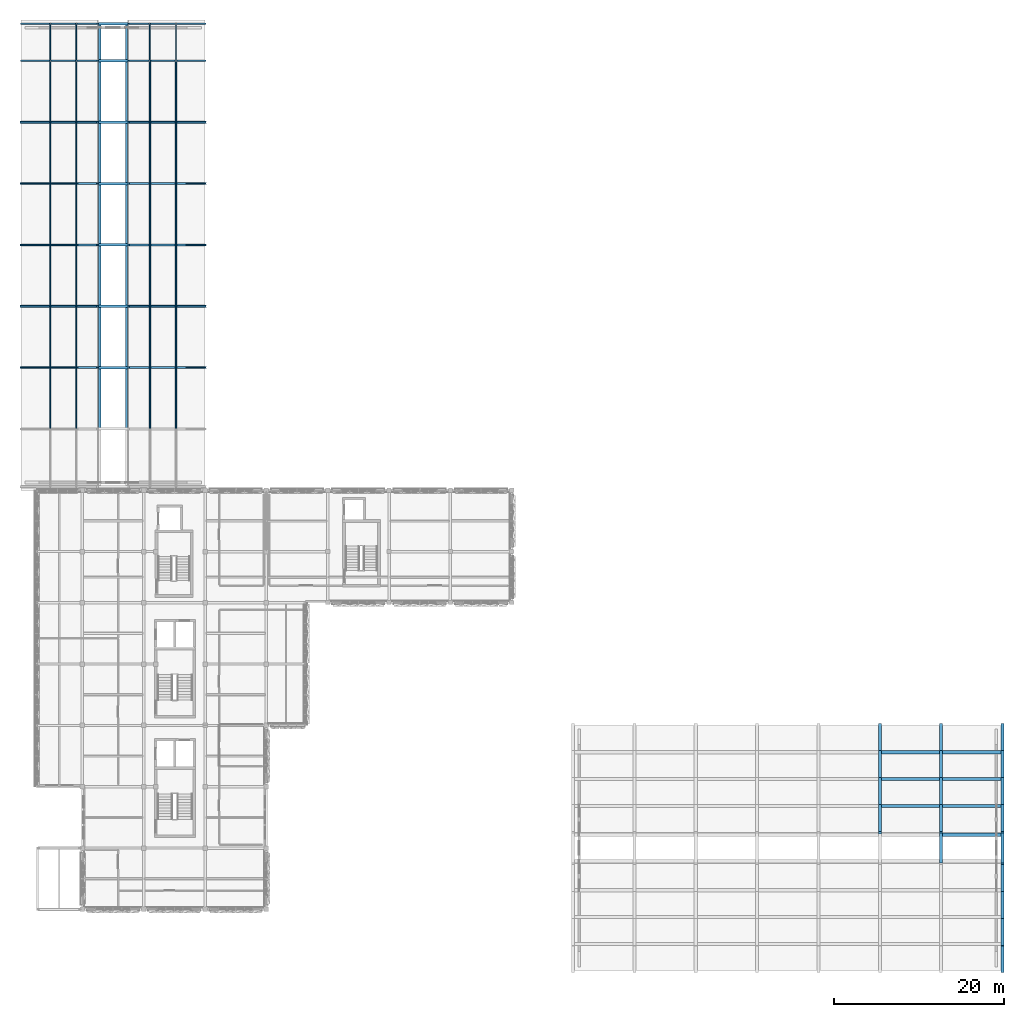
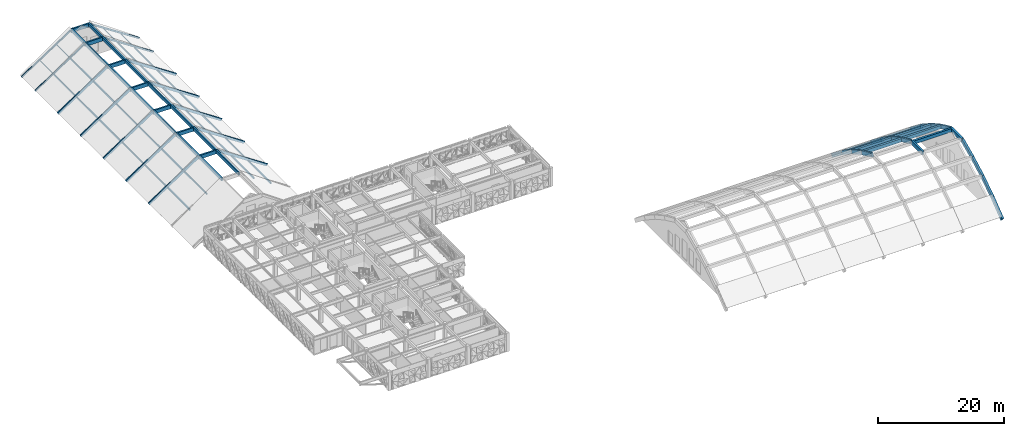
# One storey, part 13 of 48: 46 beams, 42 members.
"""IFC4 building model written with IfcOpenShell, lengths in metres."""

import ifcopenshell
import ifcopenshell.guid

model = None  # the IFC model being written
_history = None  # IfcOwnerHistory: only IFC2X3 demands one
_inside = {}  # id of a spatial element -> (the spatial element, [elements in it])
_under = {}  # id of a project, library or spatial element -> (it, [spatial elements below it])
_declared = {}  # id of a project -> (the project, [libraries it declares])
_typed = {}  # id of a type object -> (the type object, [elements of that type])
_made_of = {}  # id of a material, layer set ... -> (it, [elements and type objects made of it])


def new_model(schema):
    """Start an empty IFC model of exactly this schema.

    Asked for "IFC4X3", IfcOpenShell would pick the latest addendum, in which some entities
    have other attributes; the version numbers below select the first issue.
    IFC2X3 requires an IfcOwnerHistory on every rooted entity: one is made here for all.
    """
    global model, _history
    if schema == "IFC4X3":
        model = ifcopenshell.file(schema_version=(4, 3, 0, 0))
    else:
        model = ifcopenshell.file(schema=schema)
    _inside.clear()
    _under.clear()
    _declared.clear()
    _typed.clear()
    _made_of.clear()
    _history = None
    if model.schema == "IFC2X3":
        org = make("IfcOrganization", Name="unknown")
        user = make(
            "IfcPersonAndOrganization",
            ThePerson=make("IfcPerson", FamilyName="unknown"),
            TheOrganization=org,
        )
        app = make(
            "IfcApplication",
            ApplicationDeveloper=org,
            Version="unknown",
            ApplicationFullName="unknown",
            ApplicationIdentifier="unknown",
        )
        _history = make(
            "IfcOwnerHistory",
            OwningUser=user,
            OwningApplication=app,
            ChangeAction="ADDED",
            CreationDate=0,
        )
    return model


def make(cls, **values):
    """One entity of the class cls with the attributes given. An attribute that is None is left unset."""
    return model.create_entity(
        cls, **{name: value for name, value in values.items() if value is not None}
    )


def rooted(cls, **values):
    """An entity with a GlobalId (a new one), such as an element, a storey or a relation."""
    return make(cls, GlobalId=ifcopenshell.guid.new(), OwnerHistory=_history, **values)


def si_unit(unit_type, name, prefix=None):
    """IfcSIUnit, for example si_unit("LENGTHUNIT", "METRE", prefix="MILLI")."""
    return make("IfcSIUnit", UnitType=unit_type, Prefix=prefix, Name=name)


def assignment(units):
    """IfcUnitAssignment: the units of a project."""
    return None if units is None else make("IfcUnitAssignment", Units=units)


def point(xyz):
    """IfcCartesianPoint."""
    return None if xyz is None else make("IfcCartesianPoint", Coordinates=xyz)


def direction(xyz):
    """IfcDirection."""
    return None if xyz is None else make("IfcDirection", DirectionRatios=xyz)


def frame(location, z_axis=None, x_axis=None):
    """IfcAxis2Placement3D, a coordinate frame: its origin and axes. An axis left out is left unset."""
    return make(
        "IfcAxis2Placement3D",
        Location=point(location),
        Axis=direction(z_axis),
        RefDirection=direction(x_axis),
    )


def frame_2d(location, x_axis=None):
    """IfcAxis2Placement2D, a coordinate frame in the plane: its origin and x axis."""
    return make(
        "IfcAxis2Placement2D", Location=point(location), RefDirection=direction(x_axis)
    )


def origin():
    """The frame at (0, 0, 0) with its axes left unset."""
    return frame((0.0, 0.0, 0.0))


def origin_2d():
    """The frame at (0, 0) in the plane with its x axis left unset."""
    return frame_2d((0.0, 0.0))


def place(relative_to, where):
    """IfcLocalPlacement: puts the frame where relative to a parent placement (None: the world)."""
    return make(
        "IfcLocalPlacement", PlacementRelTo=relative_to, RelativePlacement=where
    )


def context(
    kind, dimensions, precision=None, world=None, true_north=None, identifier=None
):
    """IfcGeometricRepresentationContext, for example the 3D "Model" context."""
    return make(
        "IfcGeometricRepresentationContext",
        ContextIdentifier=identifier,
        ContextType=kind,
        CoordinateSpaceDimension=dimensions,
        Precision=precision,
        WorldCoordinateSystem=world,
        TrueNorth=true_north,
    )


def subcontext(parent, identifier, kind, view, scale=None):
    """IfcGeometricRepresentationSubContext, for example "Body" below "Model"."""
    return make(
        "IfcGeometricRepresentationSubContext",
        ContextIdentifier=identifier,
        ContextType=kind,
        ParentContext=parent,
        TargetScale=scale,
        TargetView=view,
    )


def project(units=None, contexts=None):
    """IfcProject with its units and contexts."""
    return rooted(
        "IfcProject",
        Name="project",
        RepresentationContexts=contexts,
        UnitsInContext=assignment(units),
    )


def spatial(cls, under=None, at=None, **own):
    """A site, building, storey or space (cls), placed at a placement, below another one or the project."""
    s = rooted(cls, ObjectPlacement=at, **own)
    if under is not None:
        _under.setdefault(under.id(), (under, []))[1].append(s)
    return s


def profile(cls, at=None, kind="AREA", **sizes):
    """A parametric profile (cls). Its sizes go by their IFC names, for example OverallWidth=200.0."""
    return make(cls, ProfileType=kind, Position=at, **sizes)


def rectangle(**sizes):
    """IfcRectangleProfileDef."""
    return profile("IfcRectangleProfileDef", **sizes)


def hollow_rectangle(**sizes):
    """IfcRectangleHollowProfileDef."""
    return profile("IfcRectangleHollowProfileDef", **sizes)


def i_section(**sizes):
    """IfcIShapeProfileDef."""
    return profile("IfcIShapeProfileDef", **sizes)


def extrude(swept, where, along, depth):
    """IfcExtrudedAreaSolid: the profile swept, set in the frame where, extruded along a direction by depth."""
    return make(
        "IfcExtrudedAreaSolid",
        SweptArea=swept,
        Position=where,
        ExtrudedDirection=direction(along),
        Depth=depth,
    )


def shape(context_of_items, identifier, shape_type, items):
    """IfcShapeRepresentation: the items that make up one representation, for example the "Body"."""
    return make(
        "IfcShapeRepresentation",
        ContextOfItems=context_of_items,
        RepresentationIdentifier=identifier,
        RepresentationType=shape_type,
        Items=items,
    )


def material(Name=None, Category=None):
    """IfcMaterial."""
    return make("IfcMaterial", Name=Name, Category=Category)


def material_profile(
    of_material, cross_section, Name=None, Category=None, Priority=None
):
    """IfcMaterialProfile: a cross section and its material."""
    return make(
        "IfcMaterialProfile",
        Name=Name,
        Material=of_material,
        Profile=cross_section,
        Priority=Priority,
        Category=Category,
    )


def profile_set(profiles, Name=None, composite=None):
    """IfcMaterialProfileSet."""
    return make(
        "IfcMaterialProfileSet",
        Name=Name,
        MaterialProfiles=profiles,
        CompositeProfile=composite,
    )


def made_of(thing, what):
    """Note that an element or type object is made of a material, layer set ...; save() writes the relation."""
    if what is not None:
        _made_of.setdefault(what.id(), (what, []))[1].append(thing)
    return thing


def type_object(cls, material=None, **own):
    """A type object (cls), such as IfcWallType, which elements share."""
    return made_of(rooted(cls, **own), material)


def element(
    cls,
    number,
    at=None,
    inside=None,
    cuts=None,
    type_object=None,
    material=None,
    context=None,
    identifier="Body",
    shape_type=None,
    held_by="IfcProductDefinitionShape",
    body=None,
    shapes=None,
    **own,
):
    """One element of the class cls, such as IfcWall. Its Tag is "e" and its number.

    at: its placement. inside: the storey or other place that contains it. cuts: it is an
    opening in that element (IfcRelVoidsElement). A single representation is given by context,
    identifier, shape_type and body (its items); several are given by shapes. held_by: the class
    of the entity that holds the representations. save() writes the other relations.
    """
    e = rooted(cls, Tag="e%d" % number, ObjectPlacement=at, **own)
    if body is not None:
        shapes = [shape(context, identifier, shape_type, body)]
    if shapes is not None:
        e.Representation = make(held_by, Representations=shapes)
    if inside is not None:
        _inside.setdefault(inside.id(), (inside, []))[1].append(e)
    if cuts is not None:
        rooted(
            "IfcRelVoidsElement", RelatingBuildingElement=cuts, RelatedOpeningElement=e
        )
    if type_object is not None:
        _typed.setdefault(type_object.id(), (type_object, []))[1].append(e)
    return made_of(e, material)


def aggregate(whole, parts):
    """IfcRelAggregates: a whole, such as a stair, and the parts it consists of."""
    return rooted("IfcRelAggregates", RelatingObject=whole, RelatedObjects=parts)


def save(model, path):
    """Write the relations noted so far, then the file.

    IfcRelAggregates (storeys below a building ...), IfcRelContainedInSpatialStructure (elements
    in a storey), IfcRelDefinesByType, IfcRelAssociatesMaterial and IfcRelDeclares: one each for
    every whole, place, type object, material and project.
    """
    for whole, parts in _under.values():
        aggregate(whole, parts)
    for where, things in _inside.values():
        rooted(
            "IfcRelContainedInSpatialStructure",
            RelatedElements=things,
            RelatingStructure=where,
        )
    for kind, things in _typed.values():
        rooted("IfcRelDefinesByType", RelatedObjects=things, RelatingType=kind)
    for what, things in _made_of.values():
        rooted("IfcRelAssociatesMaterial", RelatedObjects=things, RelatingMaterial=what)
    for by, libraries in _declared.values():
        rooted("IfcRelDeclares", RelatingContext=by, RelatedDefinitions=libraries)
    model.write(path)


model = new_model("IFC4")

# Units and contexts
model_context = context("Model", 3, precision=1e-05, world=origin(), true_north=direction((0.0, 1.0)))
body_context = subcontext(model_context, "Body", "Model", "MODEL_VIEW")
ifc_project = project(units=[si_unit("LENGTHUNIT", "METRE"), si_unit("AREAUNIT", "SQUARE_METRE"), si_unit("VOLUMEUNIT", "CUBIC_METRE"), si_unit("PLANEANGLEUNIT", "RADIAN"), si_unit("MASSUNIT", "GRAM", prefix="KILO")], contexts=[model_context])

# Site, building, storey
site_placement = place(None, origin())
site = spatial("IfcSite", under=ifc_project, at=site_placement, CompositionType="ELEMENT")
building_placement = place(site_placement, origin())
building = spatial("IfcBuilding", under=site, at=building_placement, Name="Alvorim Cloister Faculty of Sciences", CompositionType="ELEMENT")
storey_placement = place(building_placement, frame((0.0, 0.0, 19.35009765625)))
storey = spatial("IfcBuildingStorey", under=building, at=storey_placement, Name="L05", CompositionType="ELEMENT", Elevation=19.35009765625)

# Beams
ifc_material_1 = material(Name="Concrete C40", Category="concrete")
ifc_material_profile_1 = material_profile(ifc_material_1, rectangle(XDim=0.360107421875, YDim=0.719970703125, at=origin_2d()), Name="RC40-ARCH-360x720")
ifc_profile_set_1 = profile_set([ifc_material_profile_1], Name="Concrete C40")
beam_type_1 = type_object("IfcBeamType", Name="BM-ARCH-360x720", PredefinedType="BEAM", material=ifc_profile_set_1)
beam_1_placement = place(storey_placement, frame((100.800048828125, 16.199951171875, 7.19970703125), z_axis=(0.0, 0.909008111331, -0.416778422587), x_axis=(-1.0, 0.0, 0.0)))
element("IfcBeam", 1, at=beam_1_placement, inside=storey, type_object=beam_type_1, Name="SH-V3 Pointed Arch Rib Chord BM-2433", PredefinedType="BEAM", context=body_context, shape_type="SweptSolid", body=[
    extrude(rectangle(XDim=0.360107421875, YDim=0.719970703125, at=origin_2d()), origin(), (0.0, 0.0, 1.0), 3.465576171875),
])
beam_2_placement = place(storey_placement, frame((100.800048828125, 19.35009765625, 5.75537109375), z_axis=(0.0, 0.875903252887, -0.48248677866), x_axis=(-1.0, 0.0, 0.0)))
element("IfcBeam", 2, at=beam_2_placement, inside=storey, type_object=beam_type_1, Name="SH-V3 Pointed Arch Rib Chord BM-2434", PredefinedType="BEAM", context=body_context, shape_type="SweptSolid", body=[
    extrude(rectangle(XDim=0.360107421875, YDim=0.719970703125, at=origin_2d()), origin(), (0.0, 0.0, 1.0), 3.59619140625),
])
beam_3_placement = place(storey_placement, frame((100.800048828125, 22.5, 4.020263671875), z_axis=(0.0, 0.83634327519, -0.548206098146), x_axis=(-1.0, 0.0, 0.0)))
element("IfcBeam", 3, at=beam_3_placement, inside=storey, type_object=beam_type_1, Name="SH-V3 Pointed Arch Rib Chord BM-2435", PredefinedType="BEAM", context=body_context, shape_type="SweptSolid", body=[
    extrude(rectangle(XDim=0.360107421875, YDim=0.719970703125, at=origin_2d()), origin(), (0.0, 0.0, 1.0), 3.766357421875),
])
beam_4_placement = place(storey_placement, frame((100.800048828125, 25.64990234375, 1.95556640625), z_axis=(0.0, 0.789371981973, -0.613915201046), x_axis=(-1.0, 0.0, 0.0)))
element("IfcBeam", 4, at=beam_4_placement, inside=storey, type_object=beam_type_1, Name="SH-V3 Pointed Arch Rib Chord BM-2436", PredefinedType="BEAM", context=body_context, shape_type="SweptSolid", body=[
    extrude(rectangle(XDim=0.360107421875, YDim=0.719970703125, at=origin_2d()), origin(), (0.0, 0.0, 1.0), 3.99072265625),
])
beam_5_placement = place(storey_placement, frame((108.0, 16.199951171875, 7.19970703125), z_axis=(0.0, 0.909008111331, -0.416778422587), x_axis=(-1.0, 0.0, 0.0)))
element("IfcBeam", 5, at=beam_5_placement, inside=storey, type_object=beam_type_1, Name="SH-V3 Pointed Arch Rib Chord BM-2442", PredefinedType="BEAM", context=body_context, shape_type="SweptSolid", body=[
    extrude(rectangle(XDim=0.360107421875, YDim=0.719970703125, at=origin_2d()), origin(), (0.0, 0.0, 1.0), 3.465576171875),
])
beam_6_placement = place(storey_placement, frame((108.0, 19.35009765625, 5.75537109375), z_axis=(0.0, 0.875903252887, -0.48248677866), x_axis=(-1.0, 0.0, 0.0)))
element("IfcBeam", 6, at=beam_6_placement, inside=storey, type_object=beam_type_1, Name="SH-V3 Pointed Arch Rib Chord BM-2443", PredefinedType="BEAM", context=body_context, shape_type="SweptSolid", body=[
    extrude(rectangle(XDim=0.360107421875, YDim=0.719970703125, at=origin_2d()), origin(), (0.0, 0.0, 1.0), 3.59619140625),
])
beam_7_placement = place(storey_placement, frame((108.0, 22.5, 4.020263671875), z_axis=(0.0, 0.83634327519, -0.548206098146), x_axis=(-1.0, 0.0, 0.0)))
element("IfcBeam", 7, at=beam_7_placement, inside=storey, type_object=beam_type_1, Name="SH-V3 Pointed Arch Rib Chord BM-2444", PredefinedType="BEAM", context=body_context, shape_type="SweptSolid", body=[
    extrude(rectangle(XDim=0.360107421875, YDim=0.719970703125, at=origin_2d()), origin(), (0.0, 0.0, 1.0), 3.766357421875),
])
beam_8_placement = place(storey_placement, frame((108.0, 25.64990234375, 1.95556640625), z_axis=(0.0, 0.789371981973, -0.613915201046), x_axis=(-1.0, 0.0, 0.0)))
element("IfcBeam", 8, at=beam_8_placement, inside=storey, type_object=beam_type_1, Name="SH-V3 Pointed Arch Rib Chord BM-2445", PredefinedType="BEAM", context=body_context, shape_type="SweptSolid", body=[
    extrude(rectangle(XDim=0.360107421875, YDim=0.719970703125, at=origin_2d()), origin(), (0.0, 0.0, 1.0), 3.99072265625),
])
beam_9_placement = place(storey_placement, frame((108.0, 12.659912109375, 7.194091796875), z_axis=(0.0, 1.0, 0.0), x_axis=(-1.0, 0.0, 0.0)))
element("IfcBeam", 9, at=beam_9_placement, inside=storey, type_object=beam_type_1, Name="L05 SH-V3 Arch Crown Tie BM-2446", PredefinedType="BEAM", context=body_context, shape_type="SweptSolid", body=[
    extrude(rectangle(XDim=0.360107421875, YDim=0.719970703125, at=origin_2d()), origin(), (0.0, 0.0, 1.0), 3.47998046875),
])
beam_10_placement = place(storey_placement, frame((115.199951171875, 0.0, -0.494384765625), z_axis=(0.0, 0.789348923038, 0.613944849069), x_axis=(-1.0, 0.0, 0.0)))
element("IfcBeam", 10, at=beam_10_placement, inside=storey, type_object=beam_type_1, Name="SH-V3 Pointed Arch Rib Chord BM-2447", PredefinedType="BEAM", context=body_context, shape_type="SweptSolid", body=[
    extrude(rectangle(XDim=0.360107421875, YDim=0.719970703125, at=origin_2d()), origin(), (0.0, 0.0, 1.0), 3.990478515625),
])
beam_11_placement = place(storey_placement, frame((115.199951171875, 3.14990234375, 1.95556640625), z_axis=(0.0, 0.836362754786, 0.548176378921), x_axis=(-1.0, 0.0, 0.0)))
element("IfcBeam", 11, at=beam_11_placement, inside=storey, type_object=beam_type_1, Name="SH-V3 Pointed Arch Rib Chord BM-2448", PredefinedType="BEAM", context=body_context, shape_type="SweptSolid", body=[
    extrude(rectangle(XDim=0.360107421875, YDim=0.719970703125, at=origin_2d()), origin(), (0.0, 0.0, 1.0), 3.7666015625),
])
beam_12_placement = place(storey_placement, frame((115.199951171875, 6.300048828125, 4.020263671875), z_axis=(0.0, 0.875903252887, 0.48248677866), x_axis=(-1.0, 0.0, 0.0)))
element("IfcBeam", 12, at=beam_12_placement, inside=storey, type_object=beam_type_1, Name="SH-V3 Pointed Arch Rib Chord BM-2449", PredefinedType="BEAM", context=body_context, shape_type="SweptSolid", body=[
    extrude(rectangle(XDim=0.360107421875, YDim=0.719970703125, at=origin_2d()), origin(), (0.0, 0.0, 1.0), 3.59619140625),
])
for number, where, z_axis, x_axis, name in (
    (13, (115.199951171875, 9.449951171875, 5.75537109375), (0.0, 0.909008111331, 0.416778422587), (-1.0, 0.0, 0.0), "SH-V3 Pointed Arch Rib Chord BM-2450"),
    (14, (115.199951171875, 16.199951171875, 7.19970703125), (0.0, 0.909008111331, -0.416778422587), (-1.0, 0.0, 0.0), "SH-V3 Pointed Arch Rib Chord BM-2451"),
):
    element("IfcBeam", number, at=place(storey_placement, frame(where, z_axis=z_axis, x_axis=x_axis)), inside=storey, type_object=beam_type_1, Name=name, PredefinedType="BEAM", context=body_context, shape_type="SweptSolid", body=[
        extrude(rectangle(XDim=0.360107421875, YDim=0.719970703125, at=origin_2d()), origin(), (0.0, 0.0, 1.0), 3.465576171875),
    ])
beam_13_placement = place(storey_placement, frame((115.199951171875, 19.35009765625, 5.75537109375), z_axis=(0.0, 0.875903252887, -0.48248677866), x_axis=(-1.0, 0.0, 0.0)))
element("IfcBeam", 15, at=beam_13_placement, inside=storey, type_object=beam_type_1, Name="SH-V3 Pointed Arch Rib Chord BM-2452", PredefinedType="BEAM", context=body_context, shape_type="SweptSolid", body=[
    extrude(rectangle(XDim=0.360107421875, YDim=0.719970703125, at=origin_2d()), origin(), (0.0, 0.0, 1.0), 3.59619140625),
])
beam_14_placement = place(storey_placement, frame((115.199951171875, 22.5, 4.020263671875), z_axis=(0.0, 0.83634327519, -0.548206098146), x_axis=(-1.0, 0.0, 0.0)))
element("IfcBeam", 16, at=beam_14_placement, inside=storey, type_object=beam_type_1, Name="SH-V3 Pointed Arch Rib Chord BM-2453", PredefinedType="BEAM", context=body_context, shape_type="SweptSolid", body=[
    extrude(rectangle(XDim=0.360107421875, YDim=0.719970703125, at=origin_2d()), origin(), (0.0, 0.0, 1.0), 3.766357421875),
])
beam_15_placement = place(storey_placement, frame((115.199951171875, 25.64990234375, 1.95556640625), z_axis=(0.0, 0.789371981973, -0.613915201046), x_axis=(-1.0, 0.0, 0.0)))
element("IfcBeam", 17, at=beam_15_placement, inside=storey, type_object=beam_type_1, Name="SH-V3 Pointed Arch Rib Chord BM-2454", PredefinedType="BEAM", context=body_context, shape_type="SweptSolid", body=[
    extrude(rectangle(XDim=0.360107421875, YDim=0.719970703125, at=origin_2d()), origin(), (0.0, 0.0, 1.0), 3.99072265625),
])
beam_16_placement = place(storey_placement, frame((115.199951171875, 12.659912109375, 7.194091796875), z_axis=(0.0, 1.0, 0.0), x_axis=(-1.0, 0.0, 0.0)))
element("IfcBeam", 18, at=beam_16_placement, inside=storey, type_object=beam_type_1, Name="L05 SH-V3 Arch Crown Tie BM-2455", PredefinedType="BEAM", context=body_context, shape_type="SweptSolid", body=[
    extrude(rectangle(XDim=0.360107421875, YDim=0.719970703125, at=origin_2d()), origin(), (0.0, 0.0, 1.0), 3.47998046875),
])
ifc_material_2 = material(Name="Glulam GL28h", Category="wood")
ifc_material_profile_2 = material_profile(ifc_material_2, rectangle(XDim=0.260009765625, YDim=0.60009765625, at=origin_2d()), Name="GL28-BM-260x600")
ifc_profile_set_2 = profile_set([ifc_material_profile_2], Name="Glulam GL28h")
beam_type_2 = type_object("IfcBeamType", Name="BM-GL-260x600", PredefinedType="BEAM", material=ifc_profile_set_2)
for number, where, z_axis, x_axis, name in (
    (19, (9.239990234375, 63.60009765625, 5.78857421875), (0.0, 1.0, 0.0), (-1.0, 0.0, 0.0), "L05 Learning Commons Skylight Curb Beam BM-2243"),
    (20, (9.239990234375, 70.800048828125, 5.78857421875), (0.0, 1.0, 0.0), (-1.0, 0.0, 0.0), "L05 Learning Commons Skylight Curb Beam BM-2244"),
    (21, (9.239990234375, 78.0, 5.78857421875), (0.0, 1.0, 0.0), (-1.0, 0.0, 0.0), "L05 Learning Commons Skylight Curb Beam BM-2245"),
    (22, (9.239990234375, 85.199951171875, 5.78857421875), (0.0, 1.0, 0.0), (-1.0, 0.0, 0.0), "L05 Learning Commons Skylight Curb Beam BM-2246"),
):
    element("IfcBeam", number, at=place(storey_placement, frame(where, z_axis=z_axis, x_axis=x_axis)), inside=storey, type_object=beam_type_2, Name=name, PredefinedType="BEAM", context=body_context, shape_type="SweptSolid", body=[
        extrude(rectangle(XDim=0.260009765625, YDim=0.60009765625, at=origin_2d()), origin(), (0.0, 0.0, 1.0), 7.199951171875),
    ])
beam_17_placement = place(storey_placement, frame((9.239990234375, 92.39990234375, 5.78857421875), z_axis=(0.0, 1.0, 0.0), x_axis=(-1.0, 0.0, 0.0)))
element("IfcBeam", 23, at=beam_17_placement, inside=storey, type_object=beam_type_2, Name="L05 Learning Commons Skylight Curb Beam BM-2247", PredefinedType="BEAM", context=body_context, shape_type="SweptSolid", body=[
    extrude(rectangle(XDim=0.260009765625, YDim=0.60009765625, at=origin_2d()), origin(), (0.0, 0.0, 1.0), 7.2001953125),
])
beam_18_placement = place(storey_placement, frame((9.239990234375, 99.60009765625, 5.78857421875), z_axis=(0.0, 1.0, 0.0), x_axis=(-1.0, 0.0, 0.0)))
element("IfcBeam", 24, at=beam_18_placement, inside=storey, type_object=beam_type_2, Name="L05 Learning Commons Skylight Curb Beam BM-2248", PredefinedType="BEAM", context=body_context, shape_type="SweptSolid", body=[
    extrude(rectangle(XDim=0.260009765625, YDim=0.60009765625, at=origin_2d()), origin(), (0.0, 0.0, 1.0), 7.199951171875),
])
beam_19_placement = place(storey_placement, frame((9.239990234375, 106.800048828125, 5.78857421875), z_axis=(0.0, 1.0, 0.0), x_axis=(-1.0, 0.0, 0.0)))
element("IfcBeam", 25, at=beam_19_placement, inside=storey, type_object=beam_type_2, Name="L05 Learning Commons Skylight Curb Beam BM-2249", PredefinedType="BEAM", context=body_context, shape_type="SweptSolid", body=[
    extrude(rectangle(XDim=0.260009765625, YDim=0.60009765625, at=origin_2d()), origin(), (0.0, 0.0, 1.0), 4.3798828125),
])
for number, where, z_axis, x_axis, name in (
    (26, (12.360107421875, 63.60009765625, 5.78857421875), (0.0, 1.0, 0.0), (-1.0, 0.0, 0.0), "L05 Learning Commons Skylight Curb Beam BM-2251"),
    (27, (12.360107421875, 70.800048828125, 5.78857421875), (0.0, 1.0, 0.0), (-1.0, 0.0, 0.0), "L05 Learning Commons Skylight Curb Beam BM-2252"),
    (28, (12.360107421875, 78.0, 5.78857421875), (0.0, 1.0, 0.0), (-1.0, 0.0, 0.0), "L05 Learning Commons Skylight Curb Beam BM-2253"),
    (29, (12.360107421875, 85.199951171875, 5.78857421875), (0.0, 1.0, 0.0), (-1.0, 0.0, 0.0), "L05 Learning Commons Skylight Curb Beam BM-2254"),
):
    element("IfcBeam", number, at=place(storey_placement, frame(where, z_axis=z_axis, x_axis=x_axis)), inside=storey, type_object=beam_type_2, Name=name, PredefinedType="BEAM", context=body_context, shape_type="SweptSolid", body=[
        extrude(rectangle(XDim=0.260009765625, YDim=0.60009765625, at=origin_2d()), origin(), (0.0, 0.0, 1.0), 7.199951171875),
    ])
beam_20_placement = place(storey_placement, frame((12.360107421875, 92.39990234375, 5.78857421875), z_axis=(0.0, 1.0, 0.0), x_axis=(-1.0, 0.0, 0.0)))
element("IfcBeam", 30, at=beam_20_placement, inside=storey, type_object=beam_type_2, Name="L05 Learning Commons Skylight Curb Beam BM-2255", PredefinedType="BEAM", context=body_context, shape_type="SweptSolid", body=[
    extrude(rectangle(XDim=0.260009765625, YDim=0.60009765625, at=origin_2d()), origin(), (0.0, 0.0, 1.0), 7.2001953125),
])
beam_21_placement = place(storey_placement, frame((12.360107421875, 99.60009765625, 5.78857421875), z_axis=(0.0, 1.0, 0.0), x_axis=(-1.0, 0.0, 0.0)))
element("IfcBeam", 31, at=beam_21_placement, inside=storey, type_object=beam_type_2, Name="L05 Learning Commons Skylight Curb Beam BM-2256", PredefinedType="BEAM", context=body_context, shape_type="SweptSolid", body=[
    extrude(rectangle(XDim=0.260009765625, YDim=0.60009765625, at=origin_2d()), origin(), (0.0, 0.0, 1.0), 7.199951171875),
])
beam_22_placement = place(storey_placement, frame((12.360107421875, 106.800048828125, 5.78857421875), z_axis=(0.0, 1.0, 0.0), x_axis=(-1.0, 0.0, 0.0)))
element("IfcBeam", 32, at=beam_22_placement, inside=storey, type_object=beam_type_2, Name="L05 Learning Commons Skylight Curb Beam BM-2257", PredefinedType="BEAM", context=body_context, shape_type="SweptSolid", body=[
    extrude(rectangle(XDim=0.260009765625, YDim=0.60009765625, at=origin_2d()), origin(), (0.0, 0.0, 1.0), 4.3798828125),
])
ifc_material_3 = material(Name="Glulam GL32h", Category="wood")
ifc_material_profile_3 = material_profile(ifc_material_3, rectangle(XDim=0.300048828125, YDim=0.719970703125, at=origin_2d()), Name="GL32-BM-300x720")
ifc_profile_set_3 = profile_set([ifc_material_profile_3], Name="Glulam GL32h")
beam_type_3 = type_object("IfcBeamType", Name="BM-GL-300x720", PredefinedType="BEAM", material=ifc_profile_set_3)
for number, where, z_axis, x_axis, name in (
    (33, (9.06005859375, 70.800048828125, 5.728515625), (1.0, 0.0, 0.0), (0.0, 1.0, 0.0), "L05 Learning Commons Lantern Collar Beam BM-2235"),
    (34, (9.06005859375, 78.0, 5.728515625), (1.0, 0.0, 0.0), (0.0, 1.0, 0.0), "L05 Learning Commons Lantern Collar Beam BM-2236"),
    (35, (9.06005859375, 85.199951171875, 5.728515625), (1.0, 0.0, 0.0), (0.0, 1.0, 0.0), "L05 Learning Commons Lantern Collar Beam BM-2237"),
    (36, (9.06005859375, 92.39990234375, 5.728515625), (1.0, 0.0, 0.0), (0.0, 1.0, 0.0), "L05 Learning Commons Lantern Collar Beam BM-2238"),
    (37, (9.06005859375, 99.60009765625, 5.728515625), (1.0, 0.0, 0.0), (0.0, 1.0, 0.0), "L05 Learning Commons Lantern Collar Beam BM-2239"),
    (38, (9.06005859375, 106.800048828125, 5.728515625), (1.0, 0.0, 0.0), (0.0, 1.0, 0.0), "L05 Learning Commons Lantern Collar Beam BM-2240"),
    (39, (9.06005859375, 111.179931640625, 5.728515625), (1.0, 0.0, 0.0), (0.0, 1.0, 0.0), "L05 Learning Commons Lantern Collar Beam BM-2241"),
):
    element("IfcBeam", number, at=place(storey_placement, frame(where, z_axis=z_axis, x_axis=x_axis)), inside=storey, type_object=beam_type_3, Name=name, PredefinedType="BEAM", context=body_context, shape_type="SweptSolid", body=[
        extrude(rectangle(XDim=0.300048828125, YDim=0.719970703125, at=origin_2d()), origin(), (0.0, 0.0, 1.0), 3.47998046875),
    ])
ifc_material_profile_4 = material_profile(ifc_material_1, rectangle(XDim=0.3798828125, YDim=0.64990234375, at=origin_2d()), Name="RC40-BM-380x650")
ifc_profile_set_4 = profile_set([ifc_material_profile_4], Name="Concrete C40")
beam_type_4 = type_object("IfcBeamType", Name="BM-RC-380x650", PredefinedType="BEAM", material=ifc_profile_set_4)
for number, where, z_axis, x_axis, name in (
    (40, (100.97998046875, 19.35009765625, 5.77490234375), (1.0, 0.0, 0.0), (0.0, 1.0, 0.0), "L05 SH-V3 Vault Stringer BM-2482"),
    (41, (108.179931640625, 19.35009765625, 5.77490234375), (1.0, 0.0, 0.0), (0.0, 1.0, 0.0), "L05 SH-V3 Vault Stringer BM-2483"),
    (42, (100.97998046875, 22.5, 4.03955078125), (1.0, 0.0, 0.0), (0.0, 1.0, 0.0), "L05 SH-V3 Vault Stringer BM-2489"),
    (43, (108.179931640625, 22.5, 4.03955078125), (1.0, 0.0, 0.0), (0.0, 1.0, 0.0), "L05 SH-V3 Vault Stringer BM-2490"),
    (44, (100.97998046875, 25.64990234375, 1.974853515625), (1.0, 0.0, 0.0), (0.0, 1.0, 0.0), "L05 SH-V3 Vault Stringer BM-2496"),
    (45, (108.179931640625, 25.64990234375, 1.974853515625), (1.0, 0.0, 0.0), (0.0, 1.0, 0.0), "L05 SH-V3 Vault Stringer BM-2497"),
    (46, (108.179931640625, 15.9599609375, 7.22900390625), (1.0, 0.0, 0.0), (0.0, 1.0, 0.0), "L05 SH-V3 Lantern Curb Beam BM-2511"),
):
    element("IfcBeam", number, at=place(storey_placement, frame(where, z_axis=z_axis, x_axis=x_axis)), inside=storey, type_object=beam_type_4, Name=name, PredefinedType="BEAM", context=body_context, shape_type="SweptSolid", body=[
        extrude(rectangle(XDim=0.3798828125, YDim=0.64990234375, at=origin_2d()), origin(), (0.0, 0.0, 1.0), 6.840087890625),
    ])

# Members
ifc_material_profile_5 = material_profile(ifc_material_2, rectangle(XDim=0.159912109375, YDim=0.300048828125, at=origin_2d()), Name="GL28-PUR-160x300")
ifc_profile_set_5 = profile_set([ifc_material_profile_5], Name="Glulam GL28h")
member_type_1 = type_object("IfcMemberType", Name="MB-PUR-GL28", PredefinedType="PURLIN", material=ifc_profile_set_5)
for number, where, z_axis, x_axis, name in (
    (47, (3.419921875, 63.60009765625, 1.902099609375), (0.0, 1.0, 0.0), (-1.0, 0.0, 0.0), "Learning Commons Roof Purlin MB-0062"),
    (48, (3.419921875, 70.800048828125, 1.902099609375), (0.0, 1.0, 0.0), (-1.0, 0.0, 0.0), "Learning Commons Roof Purlin MB-0063"),
    (49, (3.419921875, 78.0, 1.902099609375), (0.0, 1.0, 0.0), (-1.0, 0.0, 0.0), "Learning Commons Roof Purlin MB-0064"),
    (50, (3.419921875, 85.199951171875, 1.902099609375), (0.0, 1.0, 0.0), (-1.0, 0.0, 0.0), "Learning Commons Roof Purlin MB-0065"),
):
    element("IfcMember", number, at=place(storey_placement, frame(where, z_axis=z_axis, x_axis=x_axis)), inside=storey, type_object=member_type_1, Name=name, PredefinedType="PURLIN", context=body_context, shape_type="SweptSolid", body=[
        extrude(rectangle(XDim=0.159912109375, YDim=0.300048828125, at=origin_2d()), origin(), (0.0, 0.0, 1.0), 7.199951171875),
    ])
member_1_placement = place(storey_placement, frame((3.419921875, 92.39990234375, 1.902099609375), z_axis=(0.0, 1.0, 0.0), x_axis=(-1.0, 0.0, 0.0)))
element("IfcMember", 51, at=member_1_placement, inside=storey, type_object=member_type_1, Name="Learning Commons Roof Purlin MB-0066", PredefinedType="PURLIN", context=body_context, shape_type="SweptSolid", body=[
    extrude(rectangle(XDim=0.159912109375, YDim=0.300048828125, at=origin_2d()), origin(), (0.0, 0.0, 1.0), 7.2001953125),
])
for number, where, z_axis, x_axis, name in (
    (52, (3.419921875, 99.60009765625, 1.902099609375), (0.0, 1.0, 0.0), (-1.0, 0.0, 0.0), "Learning Commons Roof Purlin MB-0067"),
    (53, (18.179931640625, 63.60009765625, 1.902099609375), (0.0, 1.0, 0.0), (-1.0, 0.0, 0.0), "Learning Commons Roof Purlin MB-0070"),
    (54, (18.179931640625, 70.800048828125, 1.902099609375), (0.0, 1.0, 0.0), (-1.0, 0.0, 0.0), "Learning Commons Roof Purlin MB-0071"),
    (55, (18.179931640625, 78.0, 1.902099609375), (0.0, 1.0, 0.0), (-1.0, 0.0, 0.0), "Learning Commons Roof Purlin MB-0072"),
    (56, (18.179931640625, 85.199951171875, 1.902099609375), (0.0, 1.0, 0.0), (-1.0, 0.0, 0.0), "Learning Commons Roof Purlin MB-0073"),
):
    element("IfcMember", number, at=place(storey_placement, frame(where, z_axis=z_axis, x_axis=x_axis)), inside=storey, type_object=member_type_1, Name=name, PredefinedType="PURLIN", context=body_context, shape_type="SweptSolid", body=[
        extrude(rectangle(XDim=0.159912109375, YDim=0.300048828125, at=origin_2d()), origin(), (0.0, 0.0, 1.0), 7.199951171875),
    ])
member_2_placement = place(storey_placement, frame((18.179931640625, 92.39990234375, 1.902099609375), z_axis=(0.0, 1.0, 0.0), x_axis=(-1.0, 0.0, 0.0)))
element("IfcMember", 57, at=member_2_placement, inside=storey, type_object=member_type_1, Name="Learning Commons Roof Purlin MB-0074", PredefinedType="PURLIN", context=body_context, shape_type="SweptSolid", body=[
    extrude(rectangle(XDim=0.159912109375, YDim=0.300048828125, at=origin_2d()), origin(), (0.0, 0.0, 1.0), 7.2001953125),
])
for number, where, z_axis, x_axis, name in (
    (58, (18.179931640625, 99.60009765625, 1.902099609375), (0.0, 1.0, 0.0), (-1.0, 0.0, 0.0), "Learning Commons Roof Purlin MB-0075"),
    (59, (6.47998046875, 63.60009765625, 3.908447265625), (0.0, 1.0, 0.0), (-1.0, 0.0, 0.0), "Learning Commons Roof Purlin MB-0078"),
    (60, (6.47998046875, 70.800048828125, 3.908447265625), (0.0, 1.0, 0.0), (-1.0, 0.0, 0.0), "Learning Commons Roof Purlin MB-0079"),
    (61, (6.47998046875, 78.0, 3.908447265625), (0.0, 1.0, 0.0), (-1.0, 0.0, 0.0), "Learning Commons Roof Purlin MB-0080"),
    (62, (6.47998046875, 85.199951171875, 3.908447265625), (0.0, 1.0, 0.0), (-1.0, 0.0, 0.0), "Learning Commons Roof Purlin MB-0081"),
):
    element("IfcMember", number, at=place(storey_placement, frame(where, z_axis=z_axis, x_axis=x_axis)), inside=storey, type_object=member_type_1, Name=name, PredefinedType="PURLIN", context=body_context, shape_type="SweptSolid", body=[
        extrude(rectangle(XDim=0.159912109375, YDim=0.300048828125, at=origin_2d()), origin(), (0.0, 0.0, 1.0), 7.199951171875),
    ])
member_3_placement = place(storey_placement, frame((6.47998046875, 92.39990234375, 3.908447265625), z_axis=(0.0, 1.0, 0.0), x_axis=(-1.0, 0.0, 0.0)))
element("IfcMember", 63, at=member_3_placement, inside=storey, type_object=member_type_1, Name="Learning Commons Roof Purlin MB-0082", PredefinedType="PURLIN", context=body_context, shape_type="SweptSolid", body=[
    extrude(rectangle(XDim=0.159912109375, YDim=0.300048828125, at=origin_2d()), origin(), (0.0, 0.0, 1.0), 7.2001953125),
])
for number, where, z_axis, x_axis, name in (
    (64, (6.47998046875, 99.60009765625, 3.908447265625), (0.0, 1.0, 0.0), (-1.0, 0.0, 0.0), "Learning Commons Roof Purlin MB-0083"),
    (65, (15.1201171875, 63.60009765625, 3.908447265625), (0.0, 1.0, 0.0), (-1.0, 0.0, 0.0), "Learning Commons Roof Purlin MB-0086"),
    (66, (15.1201171875, 70.800048828125, 3.908447265625), (0.0, 1.0, 0.0), (-1.0, 0.0, 0.0), "Learning Commons Roof Purlin MB-0087"),
    (67, (15.1201171875, 78.0, 3.908447265625), (0.0, 1.0, 0.0), (-1.0, 0.0, 0.0), "Learning Commons Roof Purlin MB-0088"),
    (68, (15.1201171875, 85.199951171875, 3.908447265625), (0.0, 1.0, 0.0), (-1.0, 0.0, 0.0), "Learning Commons Roof Purlin MB-0089"),
):
    element("IfcMember", number, at=place(storey_placement, frame(where, z_axis=z_axis, x_axis=x_axis)), inside=storey, type_object=member_type_1, Name=name, PredefinedType="PURLIN", context=body_context, shape_type="SweptSolid", body=[
        extrude(rectangle(XDim=0.159912109375, YDim=0.300048828125, at=origin_2d()), origin(), (0.0, 0.0, 1.0), 7.199951171875),
    ])
member_4_placement = place(storey_placement, frame((15.1201171875, 92.39990234375, 3.908447265625), z_axis=(0.0, 1.0, 0.0), x_axis=(-1.0, 0.0, 0.0)))
element("IfcMember", 69, at=member_4_placement, inside=storey, type_object=member_type_1, Name="Learning Commons Roof Purlin MB-0090", PredefinedType="PURLIN", context=body_context, shape_type="SweptSolid", body=[
    extrude(rectangle(XDim=0.159912109375, YDim=0.300048828125, at=origin_2d()), origin(), (0.0, 0.0, 1.0), 7.2001953125),
])
member_5_placement = place(storey_placement, frame((15.1201171875, 99.60009765625, 3.908447265625), z_axis=(0.0, 1.0, 0.0), x_axis=(-1.0, 0.0, 0.0)))
element("IfcMember", 70, at=member_5_placement, inside=storey, type_object=member_type_1, Name="Learning Commons Roof Purlin MB-0091", PredefinedType="PURLIN", context=body_context, shape_type="SweptSolid", body=[
    extrude(rectangle(XDim=0.159912109375, YDim=0.300048828125, at=origin_2d()), origin(), (0.0, 0.0, 1.0), 7.199951171875),
])
ifc_material_4 = material(Name="Steel ASTM A572 Grade 50", Category="steel")
ifc_material_profile_6 = material_profile(ifc_material_4, hollow_rectangle(XDim=0.10009765625, YDim=0.14990234375, WallThickness=0.008056640625, at=origin_2d()), Name="RHS150x100x8")
ifc_profile_set_6 = profile_set([ifc_material_profile_6], Name="Steel ASTM A572 Grade 50")
member_type_2 = type_object("IfcMemberType", Name="MB-PUR-RHS150", PredefinedType="PURLIN", material=ifc_profile_set_6)
for number, where, z_axis, x_axis, name in (
    (71, (3.419921875, 106.800048828125, 1.902099609375), (0.0, 1.0, 0.0), (-1.0, 0.0, 0.0), "Learning Commons Roof Purlin MB-0068"),
    (72, (18.179931640625, 106.800048828125, 1.902099609375), (0.0, 1.0, 0.0), (-1.0, 0.0, 0.0), "Learning Commons Roof Purlin MB-0076"),
    (73, (6.47998046875, 106.800048828125, 3.908447265625), (0.0, 1.0, 0.0), (-1.0, 0.0, 0.0), "Learning Commons Roof Purlin MB-0084"),
    (74, (15.1201171875, 106.800048828125, 3.908447265625), (0.0, 1.0, 0.0), (-1.0, 0.0, 0.0), "Learning Commons Roof Purlin MB-0092"),
):
    element("IfcMember", number, at=place(storey_placement, frame(where, z_axis=z_axis, x_axis=x_axis)), inside=storey, type_object=member_type_2, Name=name, PredefinedType="PURLIN", context=body_context, shape_type="SweptSolid", body=[
        extrude(hollow_rectangle(XDim=0.10009765625, YDim=0.14990234375, WallThickness=0.008056640625, at=origin_2d()), origin(), (0.0, 0.0, 1.0), 4.3798828125),
    ])
ifc_material_profile_7 = material_profile(ifc_material_2, rectangle(XDim=0.199951171875, YDim=0.4599609375, at=origin_2d()), Name="GL28-RAF-200x460")
ifc_profile_set_7 = profile_set([ifc_material_profile_7], Name="Glulam GL28h")
member_type_3 = type_object("IfcMemberType", Name="MB-RAF-GL28", PredefinedType="RAFTER", material=ifc_profile_set_7)
for number, where, z_axis, x_axis, name in (
    (75, (0.0, 70.800048828125, -0.10009765625), (0.836276767634, 0.0, 0.548307548658), (0.0, 1.0, 0.0), "Learning Commons Gable Rafter MB-0047"),
    (76, (21.60009765625, 70.800048828125, -0.10009765625), (-0.836276767634, 0.0, 0.548307548658), (0.0, -1.0, 0.0), "Learning Commons Gable Rafter MB-0048"),
    (77, (0.0, 78.0, -0.10009765625), (0.836276767634, 0.0, 0.548307548658), (0.0, 1.0, 0.0), "Learning Commons Gable Rafter MB-0049"),
    (78, (21.60009765625, 78.0, -0.10009765625), (-0.836276767634, 0.0, 0.548307548658), (0.0, -1.0, 0.0), "Learning Commons Gable Rafter MB-0050"),
    (79, (0.0, 85.199951171875, -0.10009765625), (0.836276767634, 0.0, 0.548307548658), (0.0, 1.0, 0.0), "Learning Commons Gable Rafter MB-0051"),
    (80, (21.60009765625, 85.199951171875, -0.10009765625), (-0.836276767634, 0.0, 0.548307548658), (0.0, -1.0, 0.0), "Learning Commons Gable Rafter MB-0052"),
    (81, (0.0, 92.39990234375, -0.10009765625), (0.836276767634, 0.0, 0.548307548658), (0.0, 1.0, 0.0), "Learning Commons Gable Rafter MB-0053"),
    (82, (21.60009765625, 92.39990234375, -0.10009765625), (-0.836276767634, 0.0, 0.548307548658), (0.0, -1.0, 0.0), "Learning Commons Gable Rafter MB-0054"),
    (83, (0.0, 99.60009765625, -0.10009765625), (0.836276767634, 0.0, 0.548307548658), (0.0, 1.0, 0.0), "Learning Commons Gable Rafter MB-0055"),
    (84, (21.60009765625, 99.60009765625, -0.10009765625), (-0.836276767634, 0.0, 0.548307548658), (0.0, -1.0, 0.0), "Learning Commons Gable Rafter MB-0056"),
):
    element("IfcMember", number, at=place(storey_placement, frame(where, z_axis=z_axis, x_axis=x_axis)), inside=storey, type_object=member_type_3, Name=name, PredefinedType="RAFTER", context=body_context, shape_type="SweptSolid", body=[
        extrude(rectangle(XDim=0.199951171875, YDim=0.4599609375, at=origin_2d()), origin(), (0.0, 0.0, 1.0), 10.761962890625),
    ])
ifc_material_profile_8 = material_profile(ifc_material_4, i_section(OverallWidth=0.1650390625, OverallDepth=0.31005859375, WebThickness=0.005859375, FlangeThickness=0.009765625, FilletRadius=0.010986328125, at=origin_2d()), Name="W310x38.7")
ifc_profile_set_8 = profile_set([ifc_material_profile_8], Name="Steel ASTM A572 Grade 50")
member_type_4 = type_object("IfcMemberType", Name="MB-RAF-W310", PredefinedType="RAFTER", material=ifc_profile_set_8)
for number, where, z_axis, x_axis, name in (
    (85, (0.0, 106.800048828125, -0.10009765625), (0.836276767634, 0.0, 0.548307548658), (0.0, 1.0, 0.0), "Learning Commons Gable Rafter MB-0057"),
    (86, (21.60009765625, 106.800048828125, -0.10009765625), (-0.836276767634, 0.0, 0.548307548658), (0.0, -1.0, 0.0), "Learning Commons Gable Rafter MB-0058"),
    (87, (0.0, 111.179931640625, -0.10009765625), (0.836276767634, 0.0, 0.548307548658), (0.0, 1.0, 0.0), "Learning Commons Gable Rafter MB-0059"),
    (88, (21.60009765625, 111.179931640625, -0.10009765625), (-0.836276767634, 0.0, 0.548307548658), (0.0, -1.0, 0.0), "Learning Commons Gable Rafter MB-0060"),
):
    element("IfcMember", number, at=place(storey_placement, frame(where, z_axis=z_axis, x_axis=x_axis)), inside=storey, type_object=member_type_4, Name=name, PredefinedType="RAFTER", context=body_context, shape_type="SweptSolid", body=[
        extrude(i_section(OverallWidth=0.1650390625, OverallDepth=0.31005859375, WebThickness=0.005859375, FlangeThickness=0.009765625, FilletRadius=0.010986328125, at=origin_2d()), origin(), (0.0, 0.0, 1.0), 10.761962890625),
    ])

save(model, "model.ifc")
